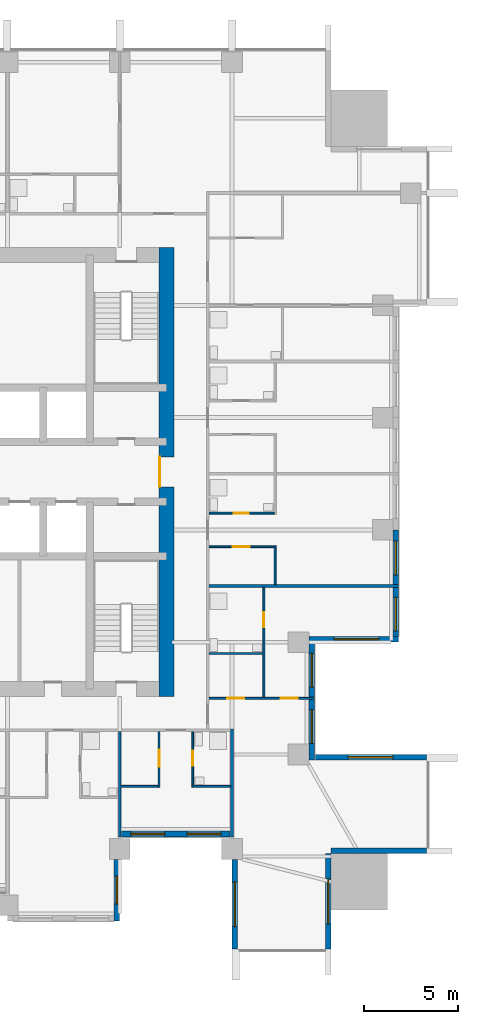
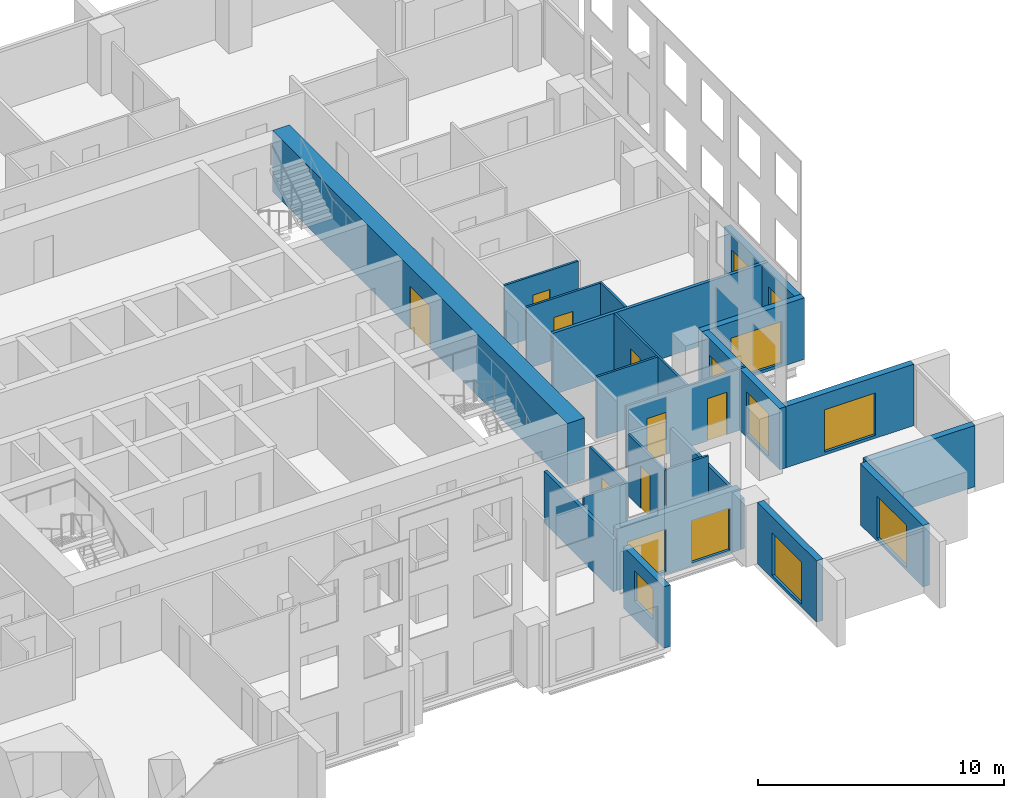
# One storey, part 6 of 12: 23 walls, 11 windows, 8 doors, 19 openings.
"""IFC4 building model written with IfcOpenShell, lengths in metres."""

import ifcopenshell
import ifcopenshell.guid

model = None  # the IFC model being written
_history = None  # IfcOwnerHistory: only IFC2X3 demands one
_inside = {}  # id of a spatial element -> (the spatial element, [elements in it])
_under = {}  # id of a project, library or spatial element -> (it, [spatial elements below it])
_declared = {}  # id of a project -> (the project, [libraries it declares])
_typed = {}  # id of a type object -> (the type object, [elements of that type])
_made_of = {}  # id of a material, layer set ... -> (it, [elements and type objects made of it])


def new_model(schema):
    """Start an empty IFC model of exactly this schema.

    Asked for "IFC4X3", IfcOpenShell would pick the latest addendum, in which some entities
    have other attributes; the version numbers below select the first issue.
    IFC2X3 requires an IfcOwnerHistory on every rooted entity: one is made here for all.
    """
    global model, _history
    if schema == "IFC4X3":
        model = ifcopenshell.file(schema_version=(4, 3, 0, 0))
    else:
        model = ifcopenshell.file(schema=schema)
    _inside.clear()
    _under.clear()
    _declared.clear()
    _typed.clear()
    _made_of.clear()
    _history = None
    if model.schema == "IFC2X3":
        org = make("IfcOrganization", Name="unknown")
        user = make(
            "IfcPersonAndOrganization",
            ThePerson=make("IfcPerson", FamilyName="unknown"),
            TheOrganization=org,
        )
        app = make(
            "IfcApplication",
            ApplicationDeveloper=org,
            Version="unknown",
            ApplicationFullName="unknown",
            ApplicationIdentifier="unknown",
        )
        _history = make(
            "IfcOwnerHistory",
            OwningUser=user,
            OwningApplication=app,
            ChangeAction="ADDED",
            CreationDate=0,
        )
    return model


def make(cls, **values):
    """One entity of the class cls with the attributes given. An attribute that is None is left unset."""
    return model.create_entity(
        cls, **{name: value for name, value in values.items() if value is not None}
    )


def rooted(cls, **values):
    """An entity with a GlobalId (a new one), such as an element, a storey or a relation."""
    return make(cls, GlobalId=ifcopenshell.guid.new(), OwnerHistory=_history, **values)


def si_unit(unit_type, name, prefix=None):
    """IfcSIUnit, for example si_unit("LENGTHUNIT", "METRE", prefix="MILLI")."""
    return make("IfcSIUnit", UnitType=unit_type, Prefix=prefix, Name=name)


def assignment(units):
    """IfcUnitAssignment: the units of a project."""
    return None if units is None else make("IfcUnitAssignment", Units=units)


def point(xyz):
    """IfcCartesianPoint."""
    return None if xyz is None else make("IfcCartesianPoint", Coordinates=xyz)


def direction(xyz):
    """IfcDirection."""
    return None if xyz is None else make("IfcDirection", DirectionRatios=xyz)


def frame(location, z_axis=None, x_axis=None):
    """IfcAxis2Placement3D, a coordinate frame: its origin and axes. An axis left out is left unset."""
    return make(
        "IfcAxis2Placement3D",
        Location=point(location),
        Axis=direction(z_axis),
        RefDirection=direction(x_axis),
    )


def frame_2d(location, x_axis=None):
    """IfcAxis2Placement2D, a coordinate frame in the plane: its origin and x axis."""
    return make(
        "IfcAxis2Placement2D", Location=point(location), RefDirection=direction(x_axis)
    )


def origin():
    """The frame at (0, 0, 0) with its axes left unset."""
    return frame((0.0, 0.0, 0.0))


def place(relative_to, where):
    """IfcLocalPlacement: puts the frame where relative to a parent placement (None: the world)."""
    return make(
        "IfcLocalPlacement", PlacementRelTo=relative_to, RelativePlacement=where
    )


def context(
    kind, dimensions, precision=None, world=None, true_north=None, identifier=None
):
    """IfcGeometricRepresentationContext, for example the 3D "Model" context."""
    return make(
        "IfcGeometricRepresentationContext",
        ContextIdentifier=identifier,
        ContextType=kind,
        CoordinateSpaceDimension=dimensions,
        Precision=precision,
        WorldCoordinateSystem=world,
        TrueNorth=true_north,
    )


def subcontext(parent, identifier, kind, view, scale=None):
    """IfcGeometricRepresentationSubContext, for example "Body" below "Model"."""
    return make(
        "IfcGeometricRepresentationSubContext",
        ContextIdentifier=identifier,
        ContextType=kind,
        ParentContext=parent,
        TargetScale=scale,
        TargetView=view,
    )


def project(units=None, contexts=None):
    """IfcProject with its units and contexts."""
    return rooted(
        "IfcProject",
        Name="project",
        RepresentationContexts=contexts,
        UnitsInContext=assignment(units),
    )


def spatial(cls, under=None, at=None, **own):
    """A site, building, storey or space (cls), placed at a placement, below another one or the project."""
    s = rooted(cls, ObjectPlacement=at, **own)
    if under is not None:
        _under.setdefault(under.id(), (under, []))[1].append(s)
    return s


def profile(cls, at=None, kind="AREA", **sizes):
    """A parametric profile (cls). Its sizes go by their IFC names, for example OverallWidth=200.0."""
    return make(cls, ProfileType=kind, Position=at, **sizes)


def rectangle(**sizes):
    """IfcRectangleProfileDef."""
    return profile("IfcRectangleProfileDef", **sizes)


def extrude(swept, where, along, depth):
    """IfcExtrudedAreaSolid: the profile swept, set in the frame where, extruded along a direction by depth."""
    return make(
        "IfcExtrudedAreaSolid",
        SweptArea=swept,
        Position=where,
        ExtrudedDirection=direction(along),
        Depth=depth,
    )


def shape(context_of_items, identifier, shape_type, items):
    """IfcShapeRepresentation: the items that make up one representation, for example the "Body"."""
    return make(
        "IfcShapeRepresentation",
        ContextOfItems=context_of_items,
        RepresentationIdentifier=identifier,
        RepresentationType=shape_type,
        Items=items,
    )


def material(Name=None, Category=None):
    """IfcMaterial."""
    return make("IfcMaterial", Name=Name, Category=Category)


def layer(
    of_material, thickness, ventilated=None, Name=None, Category=None, Priority=None
):
    """IfcMaterialLayer: one layer of a wall or slab, of a material (None: an air gap)."""
    return make(
        "IfcMaterialLayer",
        Material=of_material,
        LayerThickness=thickness,
        IsVentilated=ventilated,
        Name=Name,
        Category=Category,
        Priority=Priority,
    )


def layer_set(layers, Name=None):
    """IfcMaterialLayerSet."""
    return make("IfcMaterialLayerSet", MaterialLayers=layers, LayerSetName=Name)


def made_of(thing, what):
    """Note that an element or type object is made of a material, layer set ...; save() writes the relation."""
    if what is not None:
        _made_of.setdefault(what.id(), (what, []))[1].append(thing)
    return thing


def type_object(cls, material=None, **own):
    """A type object (cls), such as IfcWallType, which elements share."""
    return made_of(rooted(cls, **own), material)


def element(
    cls,
    number,
    at=None,
    inside=None,
    cuts=None,
    type_object=None,
    material=None,
    context=None,
    identifier="Body",
    shape_type=None,
    held_by="IfcProductDefinitionShape",
    body=None,
    shapes=None,
    **own,
):
    """One element of the class cls, such as IfcWall. Its Tag is "e" and its number.

    at: its placement. inside: the storey or other place that contains it. cuts: it is an
    opening in that element (IfcRelVoidsElement). A single representation is given by context,
    identifier, shape_type and body (its items); several are given by shapes. held_by: the class
    of the entity that holds the representations. save() writes the other relations.
    """
    e = rooted(cls, Tag="e%d" % number, ObjectPlacement=at, **own)
    if body is not None:
        shapes = [shape(context, identifier, shape_type, body)]
    if shapes is not None:
        e.Representation = make(held_by, Representations=shapes)
    if inside is not None:
        _inside.setdefault(inside.id(), (inside, []))[1].append(e)
    if cuts is not None:
        rooted(
            "IfcRelVoidsElement", RelatingBuildingElement=cuts, RelatedOpeningElement=e
        )
    if type_object is not None:
        _typed.setdefault(type_object.id(), (type_object, []))[1].append(e)
    return made_of(e, material)


def fill(opening, filler):
    """IfcRelFillsElement: the door or window that sits in an opening."""
    return rooted(
        "IfcRelFillsElement",
        RelatingOpeningElement=opening,
        RelatedBuildingElement=filler,
    )


def aggregate(whole, parts):
    """IfcRelAggregates: a whole, such as a stair, and the parts it consists of."""
    return rooted("IfcRelAggregates", RelatingObject=whole, RelatedObjects=parts)


def save(model, path):
    """Write the relations noted so far, then the file.

    IfcRelAggregates (storeys below a building ...), IfcRelContainedInSpatialStructure (elements
    in a storey), IfcRelDefinesByType, IfcRelAssociatesMaterial and IfcRelDeclares: one each for
    every whole, place, type object, material and project.
    """
    for whole, parts in _under.values():
        aggregate(whole, parts)
    for where, things in _inside.values():
        rooted(
            "IfcRelContainedInSpatialStructure",
            RelatedElements=things,
            RelatingStructure=where,
        )
    for kind, things in _typed.values():
        rooted("IfcRelDefinesByType", RelatedObjects=things, RelatingType=kind)
    for what, things in _made_of.values():
        rooted("IfcRelAssociatesMaterial", RelatedObjects=things, RelatingMaterial=what)
    for by, libraries in _declared.values():
        rooted("IfcRelDeclares", RelatingContext=by, RelatedDefinitions=libraries)
    model.write(path)


model = new_model("IFC4")

# Units and contexts
model_context = context("Model", 3, precision=1e-05, world=origin(), true_north=direction((0.0, 1.0)))
body_context = subcontext(model_context, "Body", "Model", "MODEL_VIEW")
ifc_project = project(units=[si_unit("LENGTHUNIT", "METRE"), si_unit("AREAUNIT", "SQUARE_METRE"), si_unit("VOLUMEUNIT", "CUBIC_METRE"), si_unit("PLANEANGLEUNIT", "RADIAN"), si_unit("MASSUNIT", "GRAM", prefix="KILO")], contexts=[model_context])

# Site, building, storey
site_placement = place(None, origin())
site = spatial("IfcSite", under=ifc_project, at=site_placement, CompositionType="ELEMENT")
building_placement = place(site_placement, origin())
building = spatial("IfcBuilding", under=site, at=building_placement, Name="Amberfall Residences", CompositionType="ELEMENT")
storey_placement = place(building_placement, frame((0.0, 0.0, 88.60009765625)))
storey = spatial("IfcBuildingStorey", under=building, at=storey_placement, Name="L23", CompositionType="ELEMENT", Elevation=88.60009765625)

# Wall, opening, window
ifc_material_1 = material(Name="Pale stone cladding on insulated backing", Category="masonry")
ifc_layer_1 = layer(ifc_material_1, 0.300048828125)
ifc_layer_set_1 = layer_set([ifc_layer_1], Name="Bronze clad wall 300")
wall_type_1 = type_object("IfcWallType", Name="Bronze clad wall 300", PredefinedType="SOLIDWALL", material=ifc_layer_set_1)
wall_1_placement = place(storey_placement, frame((83.449951171875, 21.5, 0.0), z_axis=(0.0, 0.0, 1.0), x_axis=(0.0, 1.0, 0.0)))
wall_1 = element("IfcWall", 1, at=wall_1_placement, inside=storey, type_object=wall_type_1, Name="External wall L23 S", PredefinedType="SOLIDWALL", context=body_context, shape_type="SweptSolid", body=[
    extrude(rectangle(XDim=3.300048828125, YDim=0.300048828125, at=frame_2d((1.64990234375, 0.0))), origin(), (0.0, 0.0, 1.0), 3.0498046875),
])
opening_1_placement = place(wall_1_placement, frame((0.89990234375, 0.0, 0.89990234375)))
opening_1 = element("IfcOpeningElement", 2, at=opening_1_placement, cuts=wall_1, Name="Opening WN1", PredefinedType="OPENING", context=body_context, shape_type="SweptSolid", body=[
    extrude(rectangle(XDim=1.5, YDim=1.5, at=frame_2d((0.75, 0.75))), frame((0.0, 0.159912109375, 0.0), z_axis=(0.0, -1.0, 0.0), x_axis=(1.0, 0.0, 0.0)), (0.0, 0.0, 1.0), 0.320068359375),
])
ifc_material_2 = material(Name="Bronze aluminium framed glazing", Category="aluminium")
window_type_1 = type_object("IfcWindowType", Name="Window 1500 x 1500 bronze", PartitioningType="DOUBLE_PANEL_VERTICAL", PredefinedType="WINDOW", material=ifc_material_2)
window_1_placement = place(opening_1_placement, origin())
window_1 = element("IfcWindow", 3, at=window_1_placement, inside=storey, type_object=window_type_1, Name="Window L23 S", OverallHeight=1.5, OverallWidth=1.5, PartitioningType="DOUBLE_PANEL_VERTICAL", PredefinedType="WINDOW", context=body_context, shape_type="SweptSolid", body=[
    extrude(rectangle(XDim=1.5, YDim=1.5, at=frame_2d((0.75, 0.75))), frame((0.0, 0.030029296875, 0.0), z_axis=(0.0, -1.0, 0.0), x_axis=(1.0, 0.0, 0.0)), (0.0, 0.0, 1.0), 0.06005859375),
])
fill(opening_1, window_1)

wall_2_placement = place(storey_placement, frame((89.75, 24.800048828125, 0.0), z_axis=(0.0, 0.0, 1.0), x_axis=(0.0, -1.0, 0.0)))
wall_2 = element("IfcWall", 4, at=wall_2_placement, inside=storey, type_object=wall_type_1, Name="External wall L23 S", PredefinedType="SOLIDWALL", context=body_context, shape_type="SweptSolid", body=[
    extrude(rectangle(XDim=4.800048828125, YDim=0.300048828125, at=frame_2d((2.39990234375, 0.0))), origin(), (0.0, 0.0, 1.0), 3.0498046875),
])
opening_2_placement = place(wall_2_placement, frame((1.199951171875, 0.0, 0.14990234375)))
opening_2 = element("IfcOpeningElement", 5, at=opening_2_placement, cuts=wall_2, Name="Opening WN5", PredefinedType="OPENING", context=body_context, shape_type="SweptSolid", body=[
    extrude(rectangle(XDim=2.39990234375, YDim=2.10009765625, at=frame_2d((1.199951171875, 1.050048828125))), frame((0.0, 0.159912109375, 0.0), z_axis=(0.0, -1.0, 0.0), x_axis=(1.0, 0.0, 0.0)), (0.0, 0.0, 1.0), 0.320068359375),
])
window_type_2 = type_object("IfcWindowType", Name="Glazed opening 2400 x 2100 bronze", PartitioningType="DOUBLE_PANEL_VERTICAL", PredefinedType="WINDOW", material=ifc_material_2)
window_2_placement = place(opening_2_placement, origin())
window_2 = element("IfcWindow", 6, at=window_2_placement, inside=storey, type_object=window_type_2, Name="Window L23 S", OverallHeight=2.10009765625, OverallWidth=2.39990234375, PartitioningType="DOUBLE_PANEL_VERTICAL", PredefinedType="WINDOW", context=body_context, shape_type="SweptSolid", body=[
    extrude(rectangle(XDim=2.39990234375, YDim=2.10009765625, at=frame_2d((1.199951171875, 1.050048828125))), frame((0.0, 0.030029296875, 0.0), z_axis=(0.0, -1.0, 0.0), x_axis=(1.0, 0.0, 0.0)), (0.0, 0.0, 1.0), 0.06005859375),
])
fill(opening_2, window_2)

wall_3_placement = place(storey_placement, frame((94.75, 20.0, 0.0), z_axis=(0.0, 0.0, 1.0), x_axis=(0.0, 1.0, 0.0)))
wall_3 = element("IfcWall", 7, at=wall_3_placement, inside=storey, type_object=wall_type_1, Name="External wall L23 SE", PredefinedType="SOLIDWALL", context=body_context, shape_type="SweptSolid", body=[
    extrude(rectangle(XDim=5.10009765625, YDim=0.300048828125, at=frame_2d((2.550048828125, 0.0))), origin(), (0.0, 0.0, 1.0), 3.0498046875),
])
opening_3_placement = place(wall_3_placement, frame((1.35009765625, 0.0, 0.14990234375)))
opening_3 = element("IfcOpeningElement", 8, at=opening_3_placement, cuts=wall_3, Name="Opening WN5", PredefinedType="OPENING", context=body_context, shape_type="SweptSolid", body=[
    extrude(rectangle(XDim=2.39990234375, YDim=2.10009765625, at=frame_2d((1.199951171875, 1.050048828125))), frame((0.0, 0.159912109375, 0.0), z_axis=(0.0, -1.0, 0.0), x_axis=(1.0, 0.0, 0.0)), (0.0, 0.0, 1.0), 0.320068359375),
])
window_3_placement = place(opening_3_placement, origin())
window_3 = element("IfcWindow", 9, at=window_3_placement, inside=storey, type_object=window_type_2, Name="Window L23 SE", OverallHeight=2.10009765625, OverallWidth=2.39990234375, PartitioningType="DOUBLE_PANEL_VERTICAL", PredefinedType="WINDOW", context=body_context, shape_type="SweptSolid", body=[
    extrude(rectangle(XDim=2.39990234375, YDim=2.10009765625, at=frame_2d((1.199951171875, 1.050048828125))), frame((0.0, 0.030029296875, 0.0), z_axis=(0.0, -1.0, 0.0), x_axis=(1.0, 0.0, 0.0)), (0.0, 0.0, 1.0), 0.06005859375),
])
fill(opening_3, window_3)

# Wall
wall_4_placement = place(storey_placement, frame((94.89990234375, 25.25, 0.0), z_axis=(0.0, 0.0, 1.0), x_axis=(1.0, 0.0, 0.0)))
element("IfcWall", 10, at=wall_4_placement, inside=storey, type_object=wall_type_1, Name="External wall L23 SE", PredefinedType="SOLIDWALL", context=body_context, shape_type="SweptSolid", body=[
    extrude(rectangle(XDim=5.10009765625, YDim=0.300048828125, at=frame_2d((2.550048828125, 0.0))), origin(), (0.0, 0.0, 1.0), 3.0498046875),
])

# Wall, opening, window
wall_5_placement = place(storey_placement, frame((100.0, 30.25, 0.0), z_axis=(0.0, 0.0, 1.0), x_axis=(-1.0, 0.0, 0.0)))
wall_5 = element("IfcWall", 11, at=wall_5_placement, inside=storey, type_object=wall_type_1, Name="External wall L23 E", PredefinedType="SOLIDWALL", context=body_context, shape_type="SweptSolid", body=[
    extrude(rectangle(XDim=6.0, YDim=0.300048828125, at=frame_2d((3.0, 0.0))), origin(), (0.0, 0.0, 1.0), 3.0498046875),
])
opening_4_placement = place(wall_5_placement, frame((1.800048828125, 0.0, 0.14990234375)))
opening_4 = element("IfcOpeningElement", 12, at=opening_4_placement, cuts=wall_5, Name="Opening WN5", PredefinedType="OPENING", context=body_context, shape_type="SweptSolid", body=[
    extrude(rectangle(XDim=2.39990234375, YDim=2.10009765625, at=frame_2d((1.199951171875, 1.050048828125))), frame((0.0, 0.159912109375, 0.0), z_axis=(0.0, -1.0, 0.0), x_axis=(1.0, 0.0, 0.0)), (0.0, 0.0, 1.0), 0.320068359375),
])
window_4_placement = place(opening_4_placement, origin())
window_4 = element("IfcWindow", 13, at=window_4_placement, inside=storey, type_object=window_type_2, Name="Window L23 E", OverallHeight=2.10009765625, OverallWidth=2.39990234375, PartitioningType="DOUBLE_PANEL_VERTICAL", PredefinedType="WINDOW", context=body_context, shape_type="SweptSolid", body=[
    extrude(rectangle(XDim=2.39990234375, YDim=2.10009765625, at=frame_2d((1.199951171875, 1.050048828125))), frame((0.0, 0.030029296875, 0.0), z_axis=(0.0, -1.0, 0.0), x_axis=(1.0, 0.0, 0.0)), (0.0, 0.0, 1.0), 0.06005859375),
])
fill(opening_4, window_4)

wall_6_placement = place(storey_placement, frame((93.699951171875, 36.550048828125, 0.0), z_axis=(0.0, 0.0, 1.0), x_axis=(1.0, 0.0, 0.0)))
wall_6 = element("IfcWall", 14, at=wall_6_placement, inside=storey, type_object=wall_type_1, Name="External wall L23 E", PredefinedType="SOLIDWALL", context=body_context, shape_type="SweptSolid", body=[
    extrude(rectangle(XDim=4.800048828125, YDim=0.300048828125, at=frame_2d((2.39990234375, 0.0))), origin(), (0.0, 0.0, 1.0), 3.0498046875),
])
opening_5_placement = place(wall_6_placement, frame((1.35009765625, 0.0, 0.14990234375)))
opening_5 = element("IfcOpeningElement", 15, at=opening_5_placement, cuts=wall_6, Name="Opening WN5", PredefinedType="OPENING", context=body_context, shape_type="SweptSolid", body=[
    extrude(rectangle(XDim=2.39990234375, YDim=2.10009765625, at=frame_2d((1.199951171875, 1.050048828125))), frame((0.0, 0.159912109375, 0.0), z_axis=(0.0, -1.0, 0.0), x_axis=(1.0, 0.0, 0.0)), (0.0, 0.0, 1.0), 0.320068359375),
])
window_5_placement = place(opening_5_placement, origin())
window_5 = element("IfcWindow", 16, at=window_5_placement, inside=storey, type_object=window_type_2, Name="Window L23 E", OverallHeight=2.10009765625, OverallWidth=2.39990234375, PartitioningType="DOUBLE_PANEL_VERTICAL", PredefinedType="WINDOW", context=body_context, shape_type="SweptSolid", body=[
    extrude(rectangle(XDim=2.39990234375, YDim=2.10009765625, at=frame_2d((1.199951171875, 1.050048828125))), frame((0.0, 0.030029296875, 0.0), z_axis=(0.0, -1.0, 0.0), x_axis=(1.0, 0.0, 0.0)), (0.0, 0.0, 1.0), 0.06005859375),
])
fill(opening_5, window_5)

# Wall, openings, windows
wall_7_placement = place(storey_placement, frame((83.699951171875, 26.14990234375, 0.0), z_axis=(0.0, 0.0, 1.0), x_axis=(1.0, 0.0, 0.0)))
wall_7 = element("IfcWall", 17, at=wall_7_placement, inside=storey, type_object=wall_type_1, Name="Stone wall L23 S", PredefinedType="SOLIDWALL", context=body_context, shape_type="SweptSolid", body=[
    extrude(rectangle(XDim=5.7900390625, YDim=0.300048828125, at=frame_2d((2.89501953125, 0.0))), origin(), (0.0, 0.0, 1.0), 3.0498046875),
])
opening_6_placement = place(wall_7_placement, frame((0.5, 0.0, 0.14990234375)))
opening_6 = element("IfcOpeningElement", 18, at=opening_6_placement, cuts=wall_7, Name="Opening WN6", PredefinedType="OPENING", context=body_context, shape_type="SweptSolid", body=[
    extrude(rectangle(XDim=1.800048828125, YDim=2.10009765625, at=frame_2d((0.89990234375, 1.050048828125))), frame((0.0, 0.159912109375, 0.0), z_axis=(0.0, -1.0, 0.0), x_axis=(1.0, 0.0, 0.0)), (0.0, 0.0, 1.0), 0.320068359375),
])
opening_7_placement = place(wall_7_placement, frame((3.5, 0.0, 0.14990234375)))
opening_7 = element("IfcOpeningElement", 19, at=opening_7_placement, cuts=wall_7, Name="Opening WN6", PredefinedType="OPENING", context=body_context, shape_type="SweptSolid", body=[
    extrude(rectangle(XDim=1.800048828125, YDim=2.10009765625, at=frame_2d((0.89990234375, 1.050048828125))), frame((0.0, 0.159912109375, 0.0), z_axis=(0.0, -1.0, 0.0), x_axis=(1.0, 0.0, 0.0)), (0.0, 0.0, 1.0), 0.320068359375),
])
window_type_3 = type_object("IfcWindowType", Name="Glazed opening 1800 x 2100 bronze", PartitioningType="DOUBLE_PANEL_VERTICAL", PredefinedType="WINDOW", material=ifc_material_2)
window_6_placement = place(opening_6_placement, origin())
window_6 = element("IfcWindow", 20, at=window_6_placement, inside=storey, type_object=window_type_3, Name="Window L23 S", OverallHeight=2.10009765625, OverallWidth=1.800048828125, PartitioningType="DOUBLE_PANEL_VERTICAL", PredefinedType="WINDOW", context=body_context, shape_type="SweptSolid", body=[
    extrude(rectangle(XDim=1.800048828125, YDim=2.10009765625, at=frame_2d((0.89990234375, 1.050048828125))), frame((0.0, 0.030029296875, 0.0), z_axis=(0.0, -1.0, 0.0), x_axis=(1.0, 0.0, 0.0)), (0.0, 0.0, 1.0), 0.06005859375),
])
fill(opening_6, window_6)
window_7_placement = place(opening_7_placement, origin())
window_7 = element("IfcWindow", 21, at=window_7_placement, inside=storey, type_object=window_type_3, Name="Window L23 S", OverallHeight=2.10009765625, OverallWidth=1.800048828125, PartitioningType="DOUBLE_PANEL_VERTICAL", PredefinedType="WINDOW", context=body_context, shape_type="SweptSolid", body=[
    extrude(rectangle(XDim=1.800048828125, YDim=2.10009765625, at=frame_2d((0.89990234375, 1.050048828125))), frame((0.0, 0.030029296875, 0.0), z_axis=(0.0, -1.0, 0.0), x_axis=(1.0, 0.0, 0.0)), (0.0, 0.0, 1.0), 0.06005859375),
])
fill(opening_7, window_7)

wall_8_placement = place(storey_placement, frame((93.85009765625, 30.10009765625, 0.0), z_axis=(0.0, 0.0, 1.0), x_axis=(0.0, 1.0, 0.0)))
wall_8 = element("IfcWall", 22, at=wall_8_placement, inside=storey, type_object=wall_type_1, Name="Stone wall L23 E", PredefinedType="SOLIDWALL", context=body_context, shape_type="SweptSolid", body=[
    extrude(rectangle(XDim=6.2998046875, YDim=0.300048828125, at=frame_2d((3.14990234375, 0.0))), origin(), (0.0, 0.0, 1.0), 3.0498046875),
])
opening_8_placement = place(wall_8_placement, frame((0.89990234375, 0.0, 0.14990234375)))
opening_8 = element("IfcOpeningElement", 23, at=opening_8_placement, cuts=wall_8, Name="Opening WN6", PredefinedType="OPENING", context=body_context, shape_type="SweptSolid", body=[
    extrude(rectangle(XDim=1.800048828125, YDim=2.10009765625, at=frame_2d((0.89990234375, 1.050048828125))), frame((0.0, 0.159912109375, 0.0), z_axis=(0.0, -1.0, 0.0), x_axis=(1.0, 0.0, 0.0)), (0.0, 0.0, 1.0), 0.320068359375),
])
opening_9_placement = place(wall_8_placement, frame((3.89990234375, 0.0, 0.14990234375)))
opening_9 = element("IfcOpeningElement", 24, at=opening_9_placement, cuts=wall_8, Name="Opening WN6", PredefinedType="OPENING", context=body_context, shape_type="SweptSolid", body=[
    extrude(rectangle(XDim=1.800048828125, YDim=2.10009765625, at=frame_2d((0.89990234375, 1.050048828125))), frame((0.0, 0.159912109375, 0.0), z_axis=(0.0, -1.0, 0.0), x_axis=(1.0, 0.0, 0.0)), (0.0, 0.0, 1.0), 0.320068359375),
])
window_8_placement = place(opening_8_placement, origin())
window_8 = element("IfcWindow", 25, at=window_8_placement, inside=storey, type_object=window_type_3, Name="Window L23 E", OverallHeight=2.10009765625, OverallWidth=1.800048828125, PartitioningType="DOUBLE_PANEL_VERTICAL", PredefinedType="WINDOW", context=body_context, shape_type="SweptSolid", body=[
    extrude(rectangle(XDim=1.800048828125, YDim=2.10009765625, at=frame_2d((0.89990234375, 1.050048828125))), frame((0.0, 0.030029296875, 0.0), z_axis=(0.0, -1.0, 0.0), x_axis=(1.0, 0.0, 0.0)), (0.0, 0.0, 1.0), 0.06005859375),
])
fill(opening_8, window_8)
window_9_placement = place(opening_9_placement, origin())
window_9 = element("IfcWindow", 26, at=window_9_placement, inside=storey, type_object=window_type_3, Name="Window L23 E", OverallHeight=2.10009765625, OverallWidth=1.800048828125, PartitioningType="DOUBLE_PANEL_VERTICAL", PredefinedType="WINDOW", context=body_context, shape_type="SweptSolid", body=[
    extrude(rectangle(XDim=1.800048828125, YDim=2.10009765625, at=frame_2d((0.89990234375, 1.050048828125))), frame((0.0, 0.030029296875, 0.0), z_axis=(0.0, -1.0, 0.0), x_axis=(1.0, 0.0, 0.0)), (0.0, 0.0, 1.0), 0.06005859375),
])
fill(opening_9, window_9)

wall_9_placement = place(storey_placement, frame((98.35009765625, 36.699951171875, 0.0), z_axis=(0.0, 0.0, 1.0), x_axis=(0.0, 1.0, 0.0)))
wall_9 = element("IfcWall", 27, at=wall_9_placement, inside=storey, type_object=wall_type_1, Name="Stone wall L23 E", PredefinedType="SOLIDWALL", context=body_context, shape_type="SweptSolid", body=[
    extrude(rectangle(XDim=5.699951171875, YDim=0.300048828125, at=frame_2d((2.85009765625, 0.0))), origin(), (0.0, 0.0, 1.0), 3.0498046875),
])
opening_10_placement = place(wall_9_placement, frame((0.300048828125, 0.0, 0.14990234375)))
opening_10 = element("IfcOpeningElement", 28, at=opening_10_placement, cuts=wall_9, Name="Opening WN6", PredefinedType="OPENING", context=body_context, shape_type="SweptSolid", body=[
    extrude(rectangle(XDim=1.800048828125, YDim=2.10009765625, at=frame_2d((0.89990234375, 1.050048828125))), frame((0.0, 0.159912109375, 0.0), z_axis=(0.0, -1.0, 0.0), x_axis=(1.0, 0.0, 0.0)), (0.0, 0.0, 1.0), 0.320068359375),
])
opening_11_placement = place(wall_9_placement, frame((3.300048828125, 0.0, 0.14990234375)))
opening_11 = element("IfcOpeningElement", 29, at=opening_11_placement, cuts=wall_9, Name="Opening WN6", PredefinedType="OPENING", context=body_context, shape_type="SweptSolid", body=[
    extrude(rectangle(XDim=1.800048828125, YDim=2.10009765625, at=frame_2d((0.89990234375, 1.050048828125))), frame((0.0, 0.159912109375, 0.0), z_axis=(0.0, -1.0, 0.0), x_axis=(1.0, 0.0, 0.0)), (0.0, 0.0, 1.0), 0.320068359375),
])
window_10_placement = place(opening_10_placement, origin())
window_10 = element("IfcWindow", 30, at=window_10_placement, inside=storey, type_object=window_type_3, Name="Window L23 E", OverallHeight=2.10009765625, OverallWidth=1.800048828125, PartitioningType="DOUBLE_PANEL_VERTICAL", PredefinedType="WINDOW", context=body_context, shape_type="SweptSolid", body=[
    extrude(rectangle(XDim=1.800048828125, YDim=2.10009765625, at=frame_2d((0.89990234375, 1.050048828125))), frame((0.0, 0.030029296875, 0.0), z_axis=(0.0, -1.0, 0.0), x_axis=(1.0, 0.0, 0.0)), (0.0, 0.0, 1.0), 0.06005859375),
])
fill(opening_10, window_10)
window_11_placement = place(opening_11_placement, origin())
window_11 = element("IfcWindow", 31, at=window_11_placement, inside=storey, type_object=window_type_3, Name="Window L23 E", OverallHeight=2.10009765625, OverallWidth=1.800048828125, PartitioningType="DOUBLE_PANEL_VERTICAL", PredefinedType="WINDOW", context=body_context, shape_type="SweptSolid", body=[
    extrude(rectangle(XDim=1.800048828125, YDim=2.10009765625, at=frame_2d((0.89990234375, 1.050048828125))), frame((0.0, 0.030029296875, 0.0), z_axis=(0.0, -1.0, 0.0), x_axis=(1.0, 0.0, 0.0)), (0.0, 0.0, 1.0), 0.06005859375),
])
fill(opening_11, window_11)

# Wall, opening, door
ifc_material_3 = material(Name="Concrete C70", Category="concrete")
ifc_layer_2 = layer(ifc_material_3, 0.800048828125)
ifc_layer_set_2 = layer_set([ifc_layer_2], Name="Core wall 800 C70")
wall_type_2 = type_object("IfcWallType", Name="Core wall 800 C70", PredefinedType="SHEAR", material=ifc_layer_set_2)
wall_10_placement = place(storey_placement, frame((86.10009765625, 33.5, 0.0), z_axis=(0.0, 0.0, 1.0), x_axis=(0.0, 1.0, 0.0)))
wall_10 = element("IfcWall", 32, at=wall_10_placement, inside=storey, type_object=wall_type_2, Name="Core wall RW3 L23 OE", PredefinedType="SHEAR", context=body_context, shape_type="SweptSolid", body=[
    extrude(rectangle(XDim=24.0, YDim=0.800048828125, at=frame_2d((12.0, 0.0))), origin(), (0.0, 0.0, 1.0), 3.0498046875),
])
opening_12_placement = place(wall_10_placement, frame((11.199951171875, 0.0, 0.0)))
opening_12 = element("IfcOpeningElement", 33, at=opening_12_placement, cuts=wall_10, Name="Opening LB1", PredefinedType="OPENING", context=body_context, shape_type="SweptSolid", body=[
    extrude(rectangle(XDim=1.60009765625, YDim=2.10009765625, at=frame_2d((0.800048828125, 1.050048828125))), frame((0.0, 0.409912109375, 0.0), z_axis=(0.0, -1.0, 0.0), x_axis=(1.0, 0.0, 0.0)), (0.0, 0.0, 1.0), 0.820068359375),
])
ifc_material_4 = material(Name="Steel fire door set", Category="steel")
door_type_1 = type_object("IfcDoorType", Name="Lift lobby double door 1600 x 2100", OperationType="DOUBLE_DOOR_SINGLE_SWING", PredefinedType="DOOR", material=ifc_material_4)
door_1_placement = place(opening_12_placement, origin())
door_1 = element("IfcDoor", 34, at=door_1_placement, inside=storey, type_object=door_type_1, Name="LB1 L23", OperationType="DOUBLE_DOOR_SINGLE_SWING", OverallHeight=2.10009765625, OverallWidth=1.60009765625, PredefinedType="DOOR", context=body_context, shape_type="SweptSolid", body=[
    extrude(rectangle(XDim=1.60009765625, YDim=2.10009765625, at=frame_2d((0.800048828125, 1.050048828125))), frame((0.0, 0.3876953125, 0.0), z_axis=(0.0, -1.0, 0.0), x_axis=(1.0, 0.0, 0.0)), (0.0, 0.0, 1.0), 0.050048828125),
])
fill(opening_12, door_1)

ifc_material_5 = material(Name="Gypsum board on metal stud")
ifc_layer_3 = layer(ifc_material_5, 0.10009765625)
ifc_layer_set_3 = layer_set([ifc_layer_3], Name="Flat partition 100")
wall_type_3 = type_object("IfcWallType", Name="Flat partition 100", PredefinedType="PARTITIONING", material=ifc_layer_set_3)
wall_11_placement = place(storey_placement, frame((85.699951171875, 28.64990234375, 0.0), z_axis=(0.0, 0.0, 1.0), x_axis=(0.0, 1.0, 0.0)))
wall_11 = element("IfcWall", 35, at=wall_11_placement, inside=storey, type_object=wall_type_3, Name="Partition 019", PredefinedType="PARTITIONING", context=body_context, shape_type="SweptSolid", body=[
    extrude(rectangle(XDim=2.97509765625, YDim=0.10009765625, at=frame_2d((1.487548828125, 0.0))), origin(), (0.0, 0.0, 1.0), 3.0498046875),
])
opening_13_placement = place(wall_11_placement, frame((1.10009765625, 0.0, 0.0)))
opening_13 = element("IfcOpeningElement", 36, at=opening_13_placement, cuts=wall_11, Name="Opening D41", PredefinedType="OPENING", context=body_context, shape_type="SweptSolid", body=[
    extrude(rectangle(XDim=0.89990234375, YDim=2.10009765625, at=frame_2d((0.449951171875, 1.050048828125))), frame((0.0, 0.06005859375, 0.0), z_axis=(0.0, -1.0, 0.0), x_axis=(1.0, 0.0, 0.0)), (0.0, 0.0, 1.0), 0.1201171875),
])
ifc_material_6 = material(Name="Timber", Category="wood")
door_type_2 = type_object("IfcDoorType", Name="Internal door 900 x 2100", OperationType="SINGLE_SWING_LEFT", PredefinedType="DOOR", material=ifc_material_6)
door_2_placement = place(opening_13_placement, origin())
door_2 = element("IfcDoor", 37, at=door_2_placement, inside=storey, type_object=door_type_2, Name="Door 2304 kitchen", OperationType="SINGLE_SWING_LEFT", OverallHeight=2.10009765625, OverallWidth=0.89990234375, PredefinedType="DOOR", context=body_context, shape_type="SweptSolid", body=[
    extrude(rectangle(XDim=0.89990234375, YDim=2.10009765625, at=frame_2d((0.449951171875, 1.050048828125))), frame((0.0, 0.02490234375, 0.0), z_axis=(0.0, -1.0, 0.0), x_axis=(1.0, 0.0, 0.0)), (0.0, 0.0, 1.0), 0.050048828125),
])
fill(opening_13, door_2)

wall_12_placement = place(storey_placement, frame((87.5, 31.625, 0.0), z_axis=(0.0, 0.0, 1.0), x_axis=(0.0, -1.0, 0.0)))
wall_12 = element("IfcWall", 38, at=wall_12_placement, inside=storey, type_object=wall_type_3, Name="Partition 020", PredefinedType="PARTITIONING", context=body_context, shape_type="SweptSolid", body=[
    extrude(rectangle(XDim=2.97509765625, YDim=0.10009765625, at=frame_2d((1.487548828125, 0.0))), origin(), (0.0, 0.0, 1.0), 3.0498046875),
])
opening_14_placement = place(wall_12_placement, frame((1.02490234375, 0.0, 0.0)))
opening_14 = element("IfcOpeningElement", 39, at=opening_14_placement, cuts=wall_12, Name="Opening D42", PredefinedType="OPENING", context=body_context, shape_type="SweptSolid", body=[
    extrude(rectangle(XDim=0.800048828125, YDim=2.10009765625, at=frame_2d((0.39990234375, 1.050048828125))), frame((0.0, 0.06005859375, 0.0), z_axis=(0.0, -1.0, 0.0), x_axis=(1.0, 0.0, 0.0)), (0.0, 0.0, 1.0), 0.1201171875),
])
door_type_3 = type_object("IfcDoorType", Name="Bathroom door 800 x 2100", OperationType="SINGLE_SWING_LEFT", PredefinedType="DOOR", material=ifc_material_6)
door_3_placement = place(opening_14_placement, origin())
door_3 = element("IfcDoor", 40, at=door_3_placement, inside=storey, type_object=door_type_3, Name="Door 2304 bath1", OperationType="SINGLE_SWING_LEFT", OverallHeight=2.10009765625, OverallWidth=0.800048828125, PredefinedType="DOOR", context=body_context, shape_type="SweptSolid", body=[
    extrude(rectangle(XDim=0.800048828125, YDim=2.10009765625, at=frame_2d((0.39990234375, 1.050048828125))), frame((0.0, 0.02490234375, 0.0), z_axis=(0.0, -1.0, 0.0), x_axis=(1.0, 0.0, 0.0)), (0.0, 0.0, 1.0), 0.050048828125),
])
fill(opening_14, door_3)

wall_13_placement = place(storey_placement, frame((91.300048828125, 33.449951171875, 0.0), z_axis=(0.0, 0.0, 1.0), x_axis=(0.0, 1.0, 0.0)))
wall_13 = element("IfcWall", 41, at=wall_13_placement, inside=storey, type_object=wall_type_3, Name="Partition 021", PredefinedType="PARTITIONING", context=body_context, shape_type="SweptSolid", body=[
    extrude(rectangle(XDim=5.875, YDim=0.10009765625, at=frame_2d((2.9375, 0.0))), origin(), (0.0, 0.0, 1.0), 3.0498046875),
])
opening_15_placement = place(wall_13_placement, frame((3.75, 0.0, 0.0)))
opening_15 = element("IfcOpeningElement", 42, at=opening_15_placement, cuts=wall_13, Name="Opening D42", PredefinedType="OPENING", context=body_context, shape_type="SweptSolid", body=[
    extrude(rectangle(XDim=0.800048828125, YDim=2.10009765625, at=frame_2d((0.39990234375, 1.050048828125))), frame((0.0, 0.06005859375, 0.0), z_axis=(0.0, -1.0, 0.0), x_axis=(1.0, 0.0, 0.0)), (0.0, 0.0, 1.0), 0.1201171875),
])
door_4_placement = place(opening_15_placement, origin())
door_4 = element("IfcDoor", 43, at=door_4_placement, inside=storey, type_object=door_type_3, Name="Door 2305 bath1", OperationType="SINGLE_SWING_LEFT", OverallHeight=2.10009765625, OverallWidth=0.800048828125, PredefinedType="DOOR", context=body_context, shape_type="SweptSolid", body=[
    extrude(rectangle(XDim=0.800048828125, YDim=2.10009765625, at=frame_2d((0.39990234375, 1.050048828125))), frame((0.0, 0.02490234375, 0.0), z_axis=(0.0, -1.0, 0.0), x_axis=(1.0, 0.0, 0.0)), (0.0, 0.0, 1.0), 0.050048828125),
])
fill(opening_15, door_4)

# Wall
wall_14_placement = place(storey_placement, frame((91.89990234375, 39.47509765625, 0.0), z_axis=(0.0, 0.0, 1.0), x_axis=(0.0, 1.0, 0.0)))
element("IfcWall", 44, at=wall_14_placement, inside=storey, type_object=wall_type_3, Name="Partition 022", PredefinedType="PARTITIONING", context=body_context, shape_type="SweptSolid", body=[
    extrude(rectangle(XDim=2.074951171875, YDim=0.10009765625, at=frame_2d((1.03759765625, 0.0))), origin(), (0.0, 0.0, 1.0), 3.0498046875),
])

# Wall, opening, door
wall_15_placement = place(storey_placement, frame((88.375, 43.300048828125, 0.0), z_axis=(0.0, 0.0, 1.0), x_axis=(1.0, 0.0, 0.0)))
wall_15 = element("IfcWall", 45, at=wall_15_placement, inside=storey, type_object=wall_type_3, Name="Partition 039", PredefinedType="PARTITIONING", context=body_context, shape_type="SweptSolid", body=[
    extrude(rectangle(XDim=3.47509765625, YDim=0.10009765625, at=frame_2d((1.737548828125, 0.0))), origin(), (0.0, 0.0, 1.0), 3.0498046875),
])
opening_16_placement = place(wall_15_placement, frame((1.324951171875, 0.0, 0.0)))
opening_16 = element("IfcOpeningElement", 46, at=opening_16_placement, cuts=wall_15, Name="Opening D42", PredefinedType="OPENING", context=body_context, shape_type="SweptSolid", body=[
    extrude(rectangle(XDim=0.800048828125, YDim=2.10009765625, at=frame_2d((0.39990234375, 1.050048828125))), frame((0.0, 0.06005859375, 0.0), z_axis=(0.0, -1.0, 0.0), x_axis=(1.0, 0.0, 0.0)), (0.0, 0.0, 1.0), 0.1201171875),
])
door_5_placement = place(opening_16_placement, origin())
door_5 = element("IfcDoor", 47, at=door_5_placement, inside=storey, type_object=door_type_3, Name="Door 2306 bath1", OperationType="SINGLE_SWING_LEFT", OverallHeight=2.10009765625, OverallWidth=0.800048828125, PredefinedType="DOOR", context=body_context, shape_type="SweptSolid", body=[
    extrude(rectangle(XDim=0.800048828125, YDim=2.10009765625, at=frame_2d((0.39990234375, 1.050048828125))), frame((0.0, 0.02490234375, 0.0), z_axis=(0.0, -1.0, 0.0), x_axis=(1.0, 0.0, 0.0)), (0.0, 0.0, 1.0), 0.050048828125),
])
fill(opening_16, door_5)

wall_16_placement = place(storey_placement, frame((91.85009765625, 41.5, 0.0), z_axis=(0.0, 0.0, 1.0), x_axis=(-1.0, 0.0, 0.0)))
wall_16 = element("IfcWall", 48, at=wall_16_placement, inside=storey, type_object=wall_type_3, Name="Partition 040", PredefinedType="PARTITIONING", context=body_context, shape_type="SweptSolid", body=[
    extrude(rectangle(XDim=3.47509765625, YDim=0.10009765625, at=frame_2d((1.737548828125, 0.0))), origin(), (0.0, 0.0, 1.0), 3.0498046875),
])
opening_17_placement = place(wall_16_placement, frame((1.300048828125, 0.0, 0.0)))
opening_17 = element("IfcOpeningElement", 49, at=opening_17_placement, cuts=wall_16, Name="Opening D41", PredefinedType="OPENING", context=body_context, shape_type="SweptSolid", body=[
    extrude(rectangle(XDim=0.89990234375, YDim=2.10009765625, at=frame_2d((0.449951171875, 1.050048828125))), frame((0.0, 0.06005859375, 0.0), z_axis=(0.0, -1.0, 0.0), x_axis=(1.0, 0.0, 0.0)), (0.0, 0.0, 1.0), 0.1201171875),
])
door_6_placement = place(opening_17_placement, origin())
door_6 = element("IfcDoor", 50, at=door_6_placement, inside=storey, type_object=door_type_2, Name="Door 2306 kitchen", OperationType="SINGLE_SWING_LEFT", OverallHeight=2.10009765625, OverallWidth=0.89990234375, PredefinedType="DOOR", context=body_context, shape_type="SweptSolid", body=[
    extrude(rectangle(XDim=0.89990234375, YDim=2.10009765625, at=frame_2d((0.449951171875, 1.050048828125))), frame((0.0, 0.02490234375, 0.0), z_axis=(0.0, -1.0, 0.0), x_axis=(1.0, 0.0, 0.0)), (0.0, 0.0, 1.0), 0.050048828125),
])
fill(opening_17, door_6)

# Wall
wall_17_placement = place(storey_placement, frame((88.375, 35.800048828125, 0.0), z_axis=(0.0, 0.0, 1.0), x_axis=(1.0, 0.0, 0.0)))
element("IfcWall", 51, at=wall_17_placement, inside=storey, type_object=wall_type_3, Name="Partition 043", PredefinedType="PARTITIONING", context=body_context, shape_type="SweptSolid", body=[
    extrude(rectangle(XDim=2.875, YDim=0.10009765625, at=frame_2d((1.4375, 0.0))), origin(), (0.0, 0.0, 1.0), 3.0498046875),
])

# Wall, openings, doors
wall_18_placement = place(storey_placement, frame((88.375, 33.39990234375, 0.0), z_axis=(0.0, 0.0, 1.0), x_axis=(1.0, 0.0, 0.0)))
wall_18 = element("IfcWall", 52, at=wall_18_placement, inside=storey, type_object=wall_type_3, Name="Partition 045", PredefinedType="PARTITIONING", context=body_context, shape_type="SweptSolid", body=[
    extrude(rectangle(XDim=5.625, YDim=0.10009765625, at=frame_2d((2.8125, 0.0))), origin(), (0.0, 0.0, 1.0), 3.0498046875),
])
opening_18_placement = place(wall_18_placement, frame((0.97509765625, 0.0, 0.0)))
opening_18 = element("IfcOpeningElement", 53, at=opening_18_placement, cuts=wall_18, Name="Opening D41", PredefinedType="OPENING", context=body_context, shape_type="SweptSolid", body=[
    extrude(rectangle(XDim=0.89990234375, YDim=2.10009765625, at=frame_2d((0.449951171875, 1.050048828125))), frame((0.0, 0.06005859375, 0.0), z_axis=(0.0, -1.0, 0.0), x_axis=(1.0, 0.0, 0.0)), (0.0, 0.0, 1.0), 0.1201171875),
])
opening_19_placement = place(wall_18_placement, frame((3.824951171875, 0.0, 0.0)))
opening_19 = element("IfcOpeningElement", 54, at=opening_19_placement, cuts=wall_18, Name="Opening D41", PredefinedType="OPENING", context=body_context, shape_type="SweptSolid", body=[
    extrude(rectangle(XDim=0.89990234375, YDim=2.10009765625, at=frame_2d((0.449951171875, 1.050048828125))), frame((0.0, 0.06005859375, 0.0), z_axis=(0.0, -1.0, 0.0), x_axis=(1.0, 0.0, 0.0)), (0.0, 0.0, 1.0), 0.1201171875),
])
door_7_placement = place(opening_18_placement, origin())
door_7 = element("IfcDoor", 55, at=door_7_placement, inside=storey, type_object=door_type_2, Name="Door 2305 kitchen", OperationType="SINGLE_SWING_LEFT", OverallHeight=2.10009765625, OverallWidth=0.89990234375, PredefinedType="DOOR", context=body_context, shape_type="SweptSolid", body=[
    extrude(rectangle(XDim=0.89990234375, YDim=2.10009765625, at=frame_2d((0.449951171875, 1.050048828125))), frame((0.0, 0.02490234375, 0.0), z_axis=(0.0, -1.0, 0.0), x_axis=(1.0, 0.0, 0.0)), (0.0, 0.0, 1.0), 0.050048828125),
])
fill(opening_18, door_7)
door_8_placement = place(opening_19_placement, origin())
door_8 = element("IfcDoor", 56, at=door_8_placement, inside=storey, type_object=door_type_2, Name="Door 2305 bedroom1", OperationType="SINGLE_SWING_LEFT", OverallHeight=2.10009765625, OverallWidth=0.89990234375, PredefinedType="DOOR", context=body_context, shape_type="SweptSolid", body=[
    extrude(rectangle(XDim=0.89990234375, YDim=2.10009765625, at=frame_2d((0.449951171875, 1.050048828125))), frame((0.0, 0.02490234375, 0.0), z_axis=(0.0, -1.0, 0.0), x_axis=(1.0, 0.0, 0.0)), (0.0, 0.0, 1.0), 0.050048828125),
])
fill(opening_19, door_8)

# Walls
for number, where, z_axis, x_axis, name in (
    (57, (83.675048828125, 28.699951171875, 0.0), (0.0, 0.0, 1.0), (1.0, 0.0, 0.0), "Partition 047"),
    (58, (87.550048828125, 28.699951171875, 0.0), (0.0, 0.0, 1.0), (1.0, 0.0, 0.0), "Partition 048"),
):
    element("IfcWall", number, at=place(storey_placement, frame(where, z_axis=z_axis, x_axis=x_axis)), inside=storey, type_object=wall_type_3, Name=name, PredefinedType="PARTITIONING", context=body_context, shape_type="SweptSolid", body=[
        extrude(rectangle(XDim=1.974853515625, YDim=0.10009765625, at=frame_2d((0.9873046875, 0.0))), origin(), (0.0, 0.0, 1.0), 3.0498046875),
    ])
ifc_material_7 = material(Name="Blockwork, plastered", Category="masonry")
ifc_layer_4 = layer(ifc_material_7, 0.14990234375)
ifc_layer_set_4 = layer_set([ifc_layer_4], Name="Flat separating wall 150")
wall_type_4 = type_object("IfcWallType", Name="Flat separating wall 150", PredefinedType="PARTITIONING", material=ifc_layer_set_4)
wall_19_placement = place(storey_placement, frame((83.60009765625, 26.0, 0.0), z_axis=(0.0, 0.0, 1.0), x_axis=(0.0, 1.0, 0.0)))
element("IfcWall", 59, at=wall_19_placement, inside=storey, type_object=wall_type_4, Name="Separating wall 060", PredefinedType="PARTITIONING", context=body_context, shape_type="SweptSolid", body=[
    extrude(rectangle(XDim=5.625, YDim=0.14990234375, at=frame_2d((2.8125, 0.0))), origin(), (0.0, 0.0, 1.0), 2.58984375),
])
wall_20_placement = place(storey_placement, frame((89.60009765625, 26.0, 0.0), z_axis=(0.0, 0.0, 1.0), x_axis=(0.0, 1.0, 0.0)))
element("IfcWall", 60, at=wall_20_placement, inside=storey, type_object=wall_type_4, Name="Separating wall 062", PredefinedType="PARTITIONING", context=body_context, shape_type="SweptSolid", body=[
    extrude(rectangle(XDim=5.77490234375, YDim=0.14990234375, at=frame_2d((2.887451171875, 0.0))), origin(), (0.0, 0.0, 1.0), 2.515869140625),
])
wall_21_placement = place(storey_placement, frame((88.375, 39.39990234375, 0.0), z_axis=(0.0, 0.0, 1.0), x_axis=(1.0, 0.0, 0.0)))
element("IfcWall", 61, at=wall_21_placement, inside=storey, type_object=wall_type_4, Name="Separating wall 069", PredefinedType="PARTITIONING", context=body_context, shape_type="SweptSolid", body=[
    extrude(rectangle(XDim=10.125, YDim=0.14990234375, at=frame_2d((5.0625, 0.0))), origin(), (0.0, 0.0, 1.0), 3.0498046875),
])

save(model, "model.ifc")
